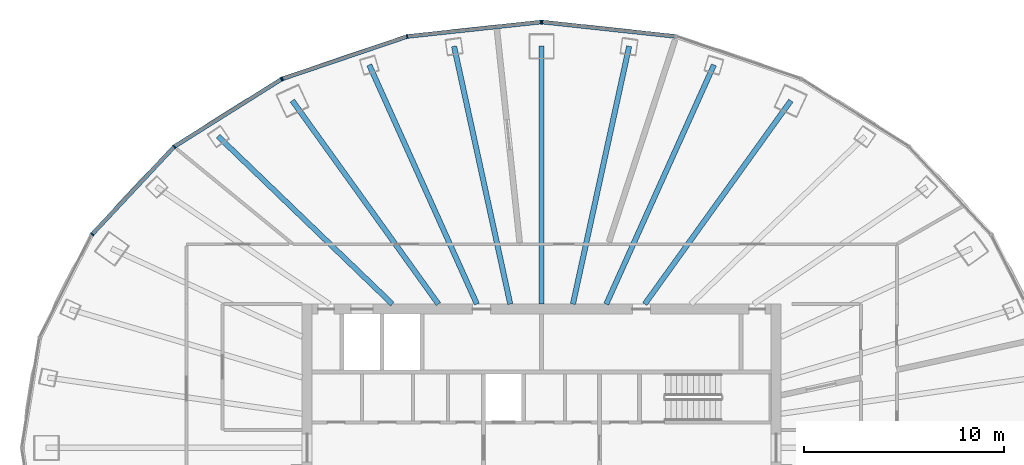
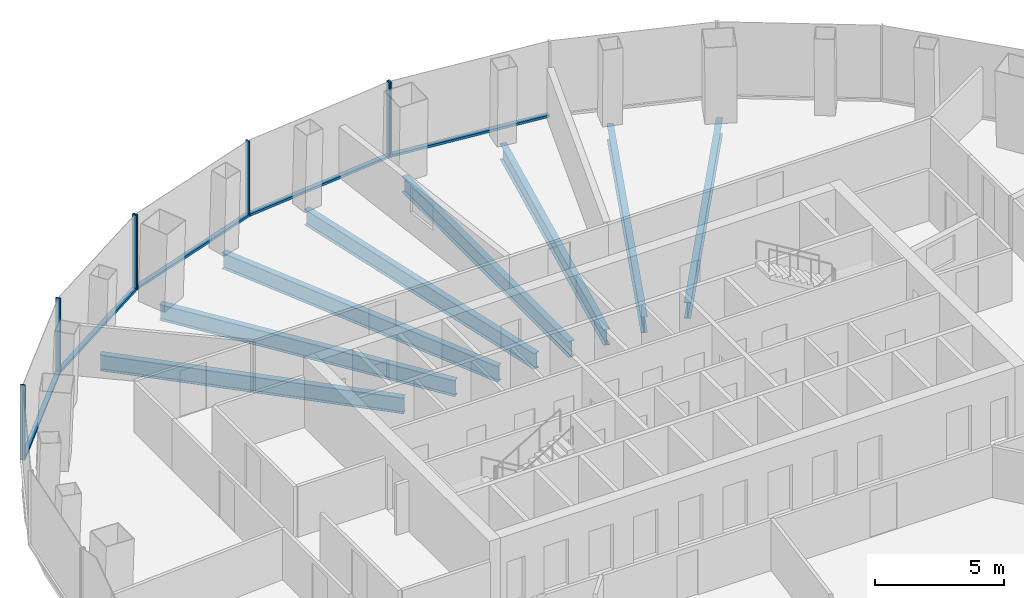
# One storey, part 5 of 12: 12 members, 8 beams, 3 elements without a shape of their own.
"""IFC4 building model written with IfcOpenShell, lengths in metres."""

from ifc_helpers import new_model, si_unit, direction, frame, origin, origin_2d, place, context, subcontext, project, spatial, rectangle, i_section, extrude, material, layer, layer_set, material_profile, profile_set, type_object, element, aggregate, save


model = new_model("IFC4")

# Units and contexts
model_context = context("Model", 3, precision=1e-05, world=origin(), true_north=direction((0.0, 1.0)))
body_context = subcontext(model_context, "Body", "Model", "MODEL_VIEW")
ifc_project = project(units=[si_unit("LENGTHUNIT", "METRE"), si_unit("AREAUNIT", "SQUARE_METRE"), si_unit("VOLUMEUNIT", "CUBIC_METRE"), si_unit("PLANEANGLEUNIT", "RADIAN"), si_unit("MASSUNIT", "GRAM", prefix="KILO")], contexts=[model_context])

# Site, building, storey
site_placement = place(None, origin())
site = spatial("IfcSite", under=ifc_project, at=site_placement, CompositionType="ELEMENT")
building_placement = place(site_placement, origin())
building = spatial("IfcBuilding", under=site, at=building_placement, Name="Siaravel Broadcast Tower", CompositionType="ELEMENT")
storey_placement = place(building_placement, frame((0.0, 0.0, 104.5)))
storey = spatial("IfcBuildingStorey", under=building, at=storey_placement, Name="L24", CompositionType="ELEMENT", Elevation=104.5)

# Beams
ifc_material_1 = material(Name="Steel S355", Category="steel")
ifc_material_profile_1 = material_profile(ifc_material_1, i_section(OverallWidth=0.26513671875, OverallDepth=0.75390625, WebThickness=0.0126953125, FlangeThickness=0.017578125, FilletRadius=0.0166015625, at=origin_2d()))
ifc_profile_set_1 = profile_set([ifc_material_profile_1], Name="Steel S355")
beam_type = type_object("IfcBeamType", Name="BM-UB 762x267x147", PredefinedType="BEAM", material=ifc_profile_set_1)
beam_1_placement = place(storey_placement, frame((12.492431640625, 17.396484375, -0.52685546875), z_axis=(-0.583282136, -0.812269628, 0.0), x_axis=(0.812269628, -0.583282136, 0.0)))
element("IfcBeam", 1, at=beam_1_placement, inside=storey, type_object=beam_type, Name="Radial beam RB07", PredefinedType="BEAM", context=body_context, shape_type="SweptSolid", body=[
    extrude(i_section(OverallWidth=0.26513671875, OverallDepth=0.75390625, WebThickness=0.0126953125, FlangeThickness=0.017578125, FilletRadius=0.0166015625, at=origin_2d()), origin(), (0.0, 0.0, 1.0), 12.55322265625),
])
beam_2_placement = place(storey_placement, frame((8.638427734375, 19.1884765625, -0.52685546875), z_axis=(-0.410499795, -0.91186069, 0.0), x_axis=(0.91186069, -0.410499795, 0.0)))
element("IfcBeam", 2, at=beam_2_placement, inside=storey, type_object=beam_type, Name="Radial beam RB08", PredefinedType="BEAM", context=body_context, shape_type="SweptSolid", body=[
    extrude(i_section(OverallWidth=0.26513671875, OverallDepth=0.75390625, WebThickness=0.0126953125, FlangeThickness=0.017578125, FilletRadius=0.0166015625, at=origin_2d()), origin(), (0.0, 0.0, 1.0), 13.147216796875),
])
beam_3_placement = place(storey_placement, frame((4.387451171875, 20.12158203125, -0.52685546875), z_axis=(-0.213031228, -0.977045391, 0.0), x_axis=(0.977045391, -0.213031228, 0.0)))
element("IfcBeam", 3, at=beam_3_placement, inside=storey, type_object=beam_type, Name="Radial beam RB09", PredefinedType="BEAM", context=body_context, shape_type="SweptSolid", body=[
    extrude(i_section(OverallWidth=0.26513671875, OverallDepth=0.75390625, WebThickness=0.0126953125, FlangeThickness=0.017578125, FilletRadius=0.0166015625, at=origin_2d()), origin(), (0.0, 0.0, 1.0), 13.22509765625),
])
beam_4_placement = place(storey_placement, frame((0.0, 20.135986328125, -0.52685546875), z_axis=(0.0, -1.0, 0.0), x_axis=(1.0, 0.0, 0.0)))
element("IfcBeam", 4, at=beam_4_placement, inside=storey, type_object=beam_type, Name="Radial beam RB10", PredefinedType="BEAM", context=body_context, shape_type="SweptSolid", body=[
    extrude(i_section(OverallWidth=0.26513671875, OverallDepth=0.75390625, WebThickness=0.0126953125, FlangeThickness=0.017578125, FilletRadius=0.0166015625, at=origin_2d()), origin(), (0.0, 0.0, 1.0), 12.93603515625),
])
beam_5_placement = place(storey_placement, frame((-4.387451171875, 20.12158203125, -0.52685546875), z_axis=(0.213031228, -0.977045391, 0.0), x_axis=(0.977045391, 0.213031228, 0.0)))
element("IfcBeam", 5, at=beam_5_placement, inside=storey, type_object=beam_type, Name="Radial beam RB11", PredefinedType="BEAM", context=body_context, shape_type="SweptSolid", body=[
    extrude(i_section(OverallWidth=0.26513671875, OverallDepth=0.75390625, WebThickness=0.0126953125, FlangeThickness=0.017578125, FilletRadius=0.0166015625, at=origin_2d()), origin(), (0.0, 0.0, 1.0), 13.22509765625),
])
beam_6_placement = place(storey_placement, frame((-8.638427734375, 19.1884765625, -0.52685546875), z_axis=(0.410499795, -0.91186069, 0.0), x_axis=(0.91186069, 0.410499795, 0.0)))
element("IfcBeam", 6, at=beam_6_placement, inside=storey, type_object=beam_type, Name="Radial beam RB12", PredefinedType="BEAM", context=body_context, shape_type="SweptSolid", body=[
    extrude(i_section(OverallWidth=0.26513671875, OverallDepth=0.75390625, WebThickness=0.0126953125, FlangeThickness=0.017578125, FilletRadius=0.0166015625, at=origin_2d()), origin(), (0.0, 0.0, 1.0), 13.147216796875),
])
beam_7_placement = place(storey_placement, frame((-12.492431640625, 17.396484375, -0.52685546875), z_axis=(0.583282136, -0.812269628, 0.0), x_axis=(0.812269628, 0.583282136, 0.0)))
element("IfcBeam", 7, at=beam_7_placement, inside=storey, type_object=beam_type, Name="Radial beam RB13", PredefinedType="BEAM", context=body_context, shape_type="SweptSolid", body=[
    extrude(i_section(OverallWidth=0.26513671875, OverallDepth=0.75390625, WebThickness=0.0126953125, FlangeThickness=0.017578125, FilletRadius=0.0166015625, at=origin_2d()), origin(), (0.0, 0.0, 1.0), 12.55322265625),
])
beam_8_placement = place(storey_placement, frame((-16.21142578125, 15.6083984375, -0.52685546875), z_axis=(0.720372012, -0.693587892, 0.0), x_axis=(0.693587892, 0.720372012, 0.0)))
element("IfcBeam", 8, at=beam_8_placement, inside=storey, type_object=beam_type, Name="Radial beam RB14", PredefinedType="BEAM", context=body_context, shape_type="SweptSolid", body=[
    extrude(i_section(OverallWidth=0.26513671875, OverallDepth=0.75390625, WebThickness=0.0126953125, FlangeThickness=0.017578125, FilletRadius=0.0166015625, at=origin_2d()), origin(), (0.0, 0.0, 1.0), 12.123046875),
])

# Curtain wall, member
ifc_material_2 = material(Name="Aluminium 6063-T6", Category="aluminium")
ifc_layer = layer(ifc_material_2, 0.199951171875)
ifc_layer_set = layer_set([ifc_layer], Name="Aluminium 6063-T6")
curtain_wall_type = type_object("IfcCurtainWallType", Name="Unitised curtain wall, zone 2", PredefinedType="NOTDEFINED", material=ifc_layer_set)
curtain_wall_1_placement = place(storey_placement, origin())
curtain_wall_1 = element("IfcCurtainWall", 9, at=curtain_wall_1_placement, inside=storey, type_object=curtain_wall_type, Name="L24 Unitised curtain wall, zone 2 03", PredefinedType="NOTDEFINED")
ifc_material_profile_2 = material_profile(ifc_material_2, rectangle(XDim=0.199951171875, YDim=0.06494140625, at=origin_2d()))
ifc_profile_set_2 = profile_set([ifc_material_profile_2], Name="Aluminium 6063-T6")
member_type_1 = type_object("IfcMemberType", Name="CW-Z2 mullion", PredefinedType="MULLION", material=ifc_profile_set_2)
member_1_placement = place(storey_placement, frame((0.0322265625, 21.334716796875, 0.0), z_axis=(0.0, 0.0, 1.0), x_axis=(-0.107217428, -0.994235597, 0.0)))
member_1 = element("IfcMember", 10, at=member_1_placement, type_object=member_type_1, Name="CW-Z2 mullion 3", PredefinedType="MULLION", context=body_context, shape_type="SweptSolid", body=[
    extrude(rectangle(XDim=0.199951171875, YDim=0.06494140625, at=origin_2d()), origin(), (0.0, 0.0, 1.0), 3.550048828125),
])

# Curtain wall, members
curtain_wall_2_placement = place(storey_placement, origin())
curtain_wall_2 = element("IfcCurtainWall", 11, at=curtain_wall_2_placement, inside=storey, type_object=curtain_wall_type, Name="L24 Unitised curtain wall, zone 2 04", PredefinedType="NOTDEFINED")
member_2_placement = place(storey_placement, frame((-0.0322265625, 21.334716796875, 0.0), z_axis=(0.0, 0.0, 1.0), x_axis=(0.107217428, -0.994235597, 0.0)))
member_2 = element("IfcMember", 12, at=member_2_placement, type_object=member_type_1, Name="CW-Z2 mullion 1", PredefinedType="MULLION", context=body_context, shape_type="SweptSolid", body=[
    extrude(rectangle(XDim=0.199951171875, YDim=0.06494140625, at=origin_2d()), origin(), (0.0, 0.0, 1.0), 3.550048828125),
])
member_3_placement = place(storey_placement, frame((-6.7373046875, 20.61181640625, 0.0), z_axis=(0.0, 0.0, 1.0), x_axis=(0.215557941, -0.976491052, 0.0)))
member_3 = element("IfcMember", 13, at=member_3_placement, type_object=member_type_1, Name="CW-Z2 mullion 2", PredefinedType="MULLION", context=body_context, shape_type="SweptSolid", body=[
    extrude(rectangle(XDim=0.199951171875, YDim=0.06494140625, at=origin_2d()), origin(), (0.0, 0.0, 1.0), 3.550048828125),
])
member_4_placement = place(storey_placement, frame((-12.9853515625, 18.491943359375, 0.0), z_axis=(0.0, 0.0, 1.0), x_axis=(0.321300433, -0.946977313, 0.0)))
member_4 = element("IfcMember", 14, at=member_4_placement, type_object=member_type_1, Name="CW-Z2 mullion 3", PredefinedType="MULLION", context=body_context, shape_type="SweptSolid", body=[
    extrude(rectangle(XDim=0.199951171875, YDim=0.06494140625, at=origin_2d()), origin(), (0.0, 0.0, 1.0), 3.550048828125),
])

curtain_wall_3_placement = place(storey_placement, origin())
curtain_wall_3 = element("IfcCurtainWall", 15, at=curtain_wall_3_placement, inside=storey, type_object=curtain_wall_type, Name="L24 Unitised curtain wall, zone 2 05", PredefinedType="NOTDEFINED")
member_5_placement = place(storey_placement, frame((-13.043701171875, 18.464111328125, 0.0), z_axis=(0.0, 0.0, 1.0), x_axis=(0.5321489, -0.846650783, 0.0)))
member_5 = element("IfcMember", 16, at=member_5_placement, type_object=member_type_1, Name="CW-Z2 mullion 1", PredefinedType="MULLION", context=body_context, shape_type="SweptSolid", body=[
    extrude(rectangle(XDim=0.199951171875, YDim=0.06494140625, at=origin_2d()), origin(), (0.0, 0.0, 1.0), 3.550048828125),
])
member_6_placement = place(storey_placement, frame((-18.408935546875, 15.091796875, 0.0), z_axis=(0.0, 0.0, 1.0), x_axis=(0.636218267, -0.771509117, 0.0)))
member_6 = element("IfcMember", 17, at=member_6_placement, type_object=member_type_1, Name="CW-Z2 mullion 2", PredefinedType="MULLION", context=body_context, shape_type="SweptSolid", body=[
    extrude(rectangle(XDim=0.199951171875, YDim=0.06494140625, at=origin_2d()), origin(), (0.0, 0.0, 1.0), 3.550048828125),
])
member_7_placement = place(storey_placement, frame((-22.526123046875, 10.69677734375, 0.0), z_axis=(0.0, 0.0, 1.0), x_axis=(0.729804854, -0.683655524, 0.0)))
member_7 = element("IfcMember", 18, at=member_7_placement, type_object=member_type_1, Name="CW-Z2 mullion 3", PredefinedType="MULLION", context=body_context, shape_type="SweptSolid", body=[
    extrude(rectangle(XDim=0.199951171875, YDim=0.06494140625, at=origin_2d()), origin(), (0.0, 0.0, 1.0), 3.550048828125),
])

# Member
ifc_material_profile_3 = material_profile(ifc_material_2, rectangle(XDim=0.199951171875, YDim=0.110107421875, at=origin_2d()))
ifc_profile_set_3 = profile_set([ifc_material_profile_3], Name="Aluminium 6063-T6")
member_type_2 = type_object("IfcMemberType", Name="CW-Z2 transom", PredefinedType="USERDEFINED", material=ifc_profile_set_3)
member_8_placement = place(storey_placement, frame((6.705078125, 20.615234375, 0.054931640625), z_axis=(-0.994236043, 0.107213291, 0.0), x_axis=(-0.107213291, -0.994236043, 0.0)))
member_8 = element("IfcMember", 19, at=member_8_placement, type_object=member_type_2, Name="CW-Z2 transom 2", ObjectType="TRANSOM", PredefinedType="USERDEFINED", context=body_context, shape_type="SweptSolid", body=[
    extrude(rectangle(XDim=0.199951171875, YDim=0.110107421875, at=origin_2d()), origin(), (0.0, 0.0, 1.0), 6.678955078125),
])

aggregate(curtain_wall_1, [member_1, member_8])

member_9_placement = place(storey_placement, frame((-0.064697265625, 21.331298828125, 0.054931640625), z_axis=(-0.994236043, -0.107213291, 0.0), x_axis=(0.107213291, -0.994236043, 0.0)))
member_9 = element("IfcMember", 20, at=member_9_placement, type_object=member_type_2, Name="CW-Z2 transom 1", ObjectType="TRANSOM", PredefinedType="USERDEFINED", context=body_context, shape_type="SweptSolid", body=[
    extrude(rectangle(XDim=0.199951171875, YDim=0.110107421875, at=origin_2d()), origin(), (0.0, 0.0, 1.0), 6.678955078125),
])

member_10_placement = place(storey_placement, frame((-6.76806640625, 20.601318359375, 0.054931640625), z_axis=(-0.946973015, -0.321313101, 0.0), x_axis=(0.321313101, -0.946973015, 0.0)))
member_10 = element("IfcMember", 21, at=member_10_placement, type_object=member_type_2, Name="CW-Z2 transom 2", ObjectType="TRANSOM", PredefinedType="USERDEFINED", context=body_context, shape_type="SweptSolid", body=[
    extrude(rectangle(XDim=0.199951171875, YDim=0.110107421875, at=origin_2d()), origin(), (0.0, 0.0, 1.0), 6.532958984375),
])

aggregate(curtain_wall_2, [member_2, member_3, member_4, member_9, member_10])

member_11_placement = place(storey_placement, frame((-13.0712890625, 18.44677734375, 0.054931640625), z_axis=(-0.846655089, -0.532142049, 0.0), x_axis=(0.532142049, -0.846655089, 0.0)))
member_11 = element("IfcMember", 22, at=member_11_placement, type_object=member_type_2, Name="CW-Z2 transom 1", ObjectType="TRANSOM", PredefinedType="USERDEFINED", context=body_context, shape_type="SweptSolid", body=[
    extrude(rectangle(XDim=0.199951171875, YDim=0.110107421875, at=origin_2d()), origin(), (0.0, 0.0, 1.0), 6.272216796875),
])

member_12_placement = place(storey_placement, frame((-18.431396484375, 15.068115234375, 0.054931640625), z_axis=(-0.6836357, -0.729823424, 0.0), x_axis=(0.729823424, -0.6836357, 0.0)))
member_12 = element("IfcMember", 23, at=member_12_placement, type_object=member_type_2, Name="CW-Z2 transom 2", ObjectType="TRANSOM", PredefinedType="USERDEFINED", context=body_context, shape_type="SweptSolid", body=[
    extrude(rectangle(XDim=0.199951171875, YDim=0.110107421875, at=origin_2d()), origin(), (0.0, 0.0, 1.0), 5.95703125),
])

aggregate(curtain_wall_3, [member_5, member_6, member_7, member_11, member_12])

save(model, "model.ifc")
